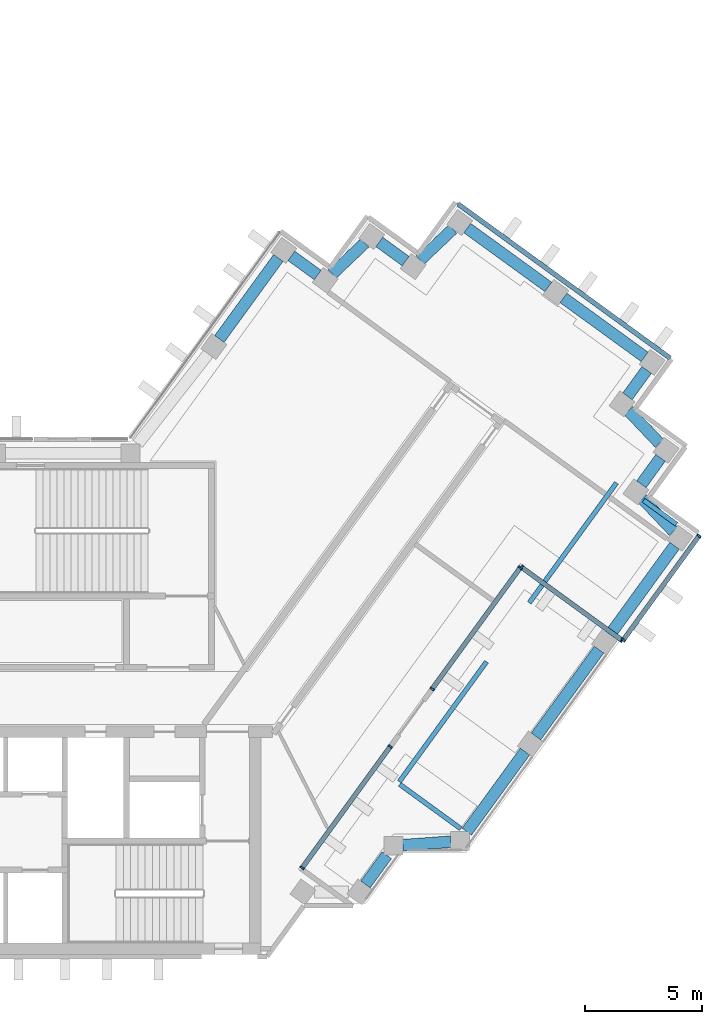
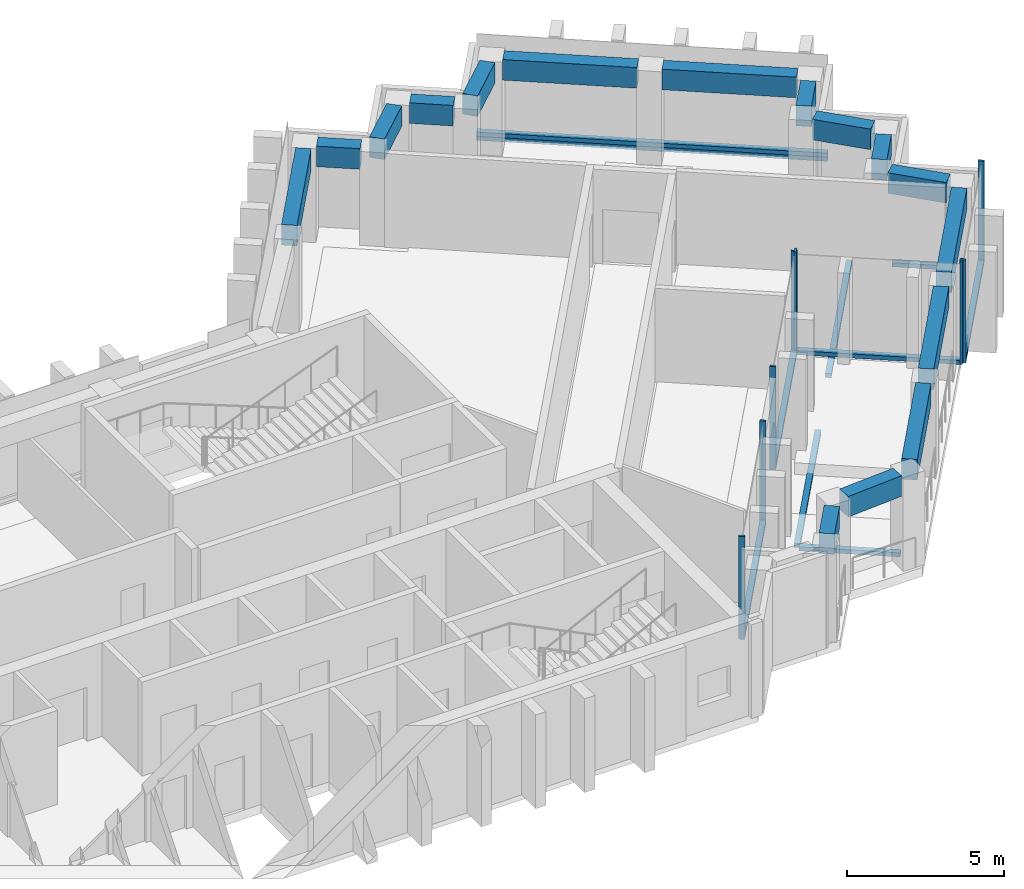
"""IFC4 building model written with IfcOpenShell, lengths in metres."""

import ifcopenshell
import ifcopenshell.guid

model = None  # the IFC model being written
_history = None  # IfcOwnerHistory: only IFC2X3 demands one
_inside = {}  # id of a spatial element -> (the spatial element, [elements in it])
_under = {}  # id of a project, library or spatial element -> (it, [spatial elements below it])
_declared = {}  # id of a project -> (the project, [libraries it declares])
_typed = {}  # id of a type object -> (the type object, [elements of that type])
_made_of = {}  # id of a material, layer set ... -> (it, [elements and type objects made of it])


def new_model(schema):
    """Start an empty IFC model of exactly this schema.

    Asked for "IFC4X3", IfcOpenShell would pick the latest addendum, in which some entities
    have other attributes; the version numbers below select the first issue.
    IFC2X3 requires an IfcOwnerHistory on every rooted entity: one is made here for all.
    """
    global model, _history
    if schema == "IFC4X3":
        model = ifcopenshell.file(schema_version=(4, 3, 0, 0))
    else:
        model = ifcopenshell.file(schema=schema)
    _inside.clear()
    _under.clear()
    _declared.clear()
    _typed.clear()
    _made_of.clear()
    _history = None
    if model.schema == "IFC2X3":
        org = make("IfcOrganization", Name="unknown")
        user = make(
            "IfcPersonAndOrganization",
            ThePerson=make("IfcPerson", FamilyName="unknown"),
            TheOrganization=org,
        )
        app = make(
            "IfcApplication",
            ApplicationDeveloper=org,
            Version="unknown",
            ApplicationFullName="unknown",
            ApplicationIdentifier="unknown",
        )
        _history = make(
            "IfcOwnerHistory",
            OwningUser=user,
            OwningApplication=app,
            ChangeAction="ADDED",
            CreationDate=0,
        )
    return model


def make(cls, **values):
    """One entity of the class cls with the attributes given. An attribute that is None is left unset."""
    return model.create_entity(
        cls, **{name: value for name, value in values.items() if value is not None}
    )


def rooted(cls, **values):
    """An entity with a GlobalId (a new one), such as an element, a storey or a relation."""
    return make(cls, GlobalId=ifcopenshell.guid.new(), OwnerHistory=_history, **values)


def si_unit(unit_type, name, prefix=None):
    """IfcSIUnit, for example si_unit("LENGTHUNIT", "METRE", prefix="MILLI")."""
    return make("IfcSIUnit", UnitType=unit_type, Prefix=prefix, Name=name)


def assignment(units):
    """IfcUnitAssignment: the units of a project."""
    return None if units is None else make("IfcUnitAssignment", Units=units)


def point(xyz):
    """IfcCartesianPoint."""
    return None if xyz is None else make("IfcCartesianPoint", Coordinates=xyz)


def direction(xyz):
    """IfcDirection."""
    return None if xyz is None else make("IfcDirection", DirectionRatios=xyz)


def frame(location, z_axis=None, x_axis=None):
    """IfcAxis2Placement3D, a coordinate frame: its origin and axes. An axis left out is left unset."""
    return make(
        "IfcAxis2Placement3D",
        Location=point(location),
        Axis=direction(z_axis),
        RefDirection=direction(x_axis),
    )


def frame_2d(location, x_axis=None):
    """IfcAxis2Placement2D, a coordinate frame in the plane: its origin and x axis."""
    return make(
        "IfcAxis2Placement2D", Location=point(location), RefDirection=direction(x_axis)
    )


def origin():
    """The frame at (0, 0, 0) with its axes left unset."""
    return frame((0.0, 0.0, 0.0))


def origin_2d():
    """The frame at (0, 0) in the plane with its x axis left unset."""
    return frame_2d((0.0, 0.0))


def place(relative_to, where):
    """IfcLocalPlacement: puts the frame where relative to a parent placement (None: the world)."""
    return make(
        "IfcLocalPlacement", PlacementRelTo=relative_to, RelativePlacement=where
    )


def context(
    kind, dimensions, precision=None, world=None, true_north=None, identifier=None
):
    """IfcGeometricRepresentationContext, for example the 3D "Model" context."""
    return make(
        "IfcGeometricRepresentationContext",
        ContextIdentifier=identifier,
        ContextType=kind,
        CoordinateSpaceDimension=dimensions,
        Precision=precision,
        WorldCoordinateSystem=world,
        TrueNorth=true_north,
    )


def subcontext(parent, identifier, kind, view, scale=None):
    """IfcGeometricRepresentationSubContext, for example "Body" below "Model"."""
    return make(
        "IfcGeometricRepresentationSubContext",
        ContextIdentifier=identifier,
        ContextType=kind,
        ParentContext=parent,
        TargetScale=scale,
        TargetView=view,
    )


def project(units=None, contexts=None):
    """IfcProject with its units and contexts."""
    return rooted(
        "IfcProject",
        Name="project",
        RepresentationContexts=contexts,
        UnitsInContext=assignment(units),
    )


def spatial(cls, under=None, at=None, **own):
    """A site, building, storey or space (cls), placed at a placement, below another one or the project."""
    s = rooted(cls, ObjectPlacement=at, **own)
    if under is not None:
        _under.setdefault(under.id(), (under, []))[1].append(s)
    return s


def profile(cls, at=None, kind="AREA", **sizes):
    """A parametric profile (cls). Its sizes go by their IFC names, for example OverallWidth=200.0."""
    return make(cls, ProfileType=kind, Position=at, **sizes)


def rectangle(**sizes):
    """IfcRectangleProfileDef."""
    return profile("IfcRectangleProfileDef", **sizes)


def extrude(swept, where, along, depth):
    """IfcExtrudedAreaSolid: the profile swept, set in the frame where, extruded along a direction by depth."""
    return make(
        "IfcExtrudedAreaSolid",
        SweptArea=swept,
        Position=where,
        ExtrudedDirection=direction(along),
        Depth=depth,
    )


def shape(context_of_items, identifier, shape_type, items):
    """IfcShapeRepresentation: the items that make up one representation, for example the "Body"."""
    return make(
        "IfcShapeRepresentation",
        ContextOfItems=context_of_items,
        RepresentationIdentifier=identifier,
        RepresentationType=shape_type,
        Items=items,
    )


def material(Name=None, Category=None):
    """IfcMaterial."""
    return make("IfcMaterial", Name=Name, Category=Category)


def material_profile(
    of_material, cross_section, Name=None, Category=None, Priority=None
):
    """IfcMaterialProfile: a cross section and its material."""
    return make(
        "IfcMaterialProfile",
        Name=Name,
        Material=of_material,
        Profile=cross_section,
        Priority=Priority,
        Category=Category,
    )


def profile_set(profiles, Name=None, composite=None):
    """IfcMaterialProfileSet."""
    return make(
        "IfcMaterialProfileSet",
        Name=Name,
        MaterialProfiles=profiles,
        CompositeProfile=composite,
    )


def made_of(thing, what):
    """Note that an element or type object is made of a material, layer set ...; save() writes the relation."""
    if what is not None:
        _made_of.setdefault(what.id(), (what, []))[1].append(thing)
    return thing


def type_object(cls, material=None, **own):
    """A type object (cls), such as IfcWallType, which elements share."""
    return made_of(rooted(cls, **own), material)


def element(
    cls,
    number,
    at=None,
    inside=None,
    cuts=None,
    type_object=None,
    material=None,
    context=None,
    identifier="Body",
    shape_type=None,
    held_by="IfcProductDefinitionShape",
    body=None,
    shapes=None,
    **own,
):
    """One element of the class cls, such as IfcWall. Its Tag is "e" and its number.

    at: its placement. inside: the storey or other place that contains it. cuts: it is an
    opening in that element (IfcRelVoidsElement). A single representation is given by context,
    identifier, shape_type and body (its items); several are given by shapes. held_by: the class
    of the entity that holds the representations. save() writes the other relations.
    """
    e = rooted(cls, Tag="e%d" % number, ObjectPlacement=at, **own)
    if body is not None:
        shapes = [shape(context, identifier, shape_type, body)]
    if shapes is not None:
        e.Representation = make(held_by, Representations=shapes)
    if inside is not None:
        _inside.setdefault(inside.id(), (inside, []))[1].append(e)
    if cuts is not None:
        rooted(
            "IfcRelVoidsElement", RelatingBuildingElement=cuts, RelatedOpeningElement=e
        )
    if type_object is not None:
        _typed.setdefault(type_object.id(), (type_object, []))[1].append(e)
    return made_of(e, material)


def aggregate(whole, parts):
    """IfcRelAggregates: a whole, such as a stair, and the parts it consists of."""
    return rooted("IfcRelAggregates", RelatingObject=whole, RelatedObjects=parts)


def save(model, path):
    """Write the relations noted so far, then the file.

    IfcRelAggregates (storeys below a building ...), IfcRelContainedInSpatialStructure (elements
    in a storey), IfcRelDefinesByType, IfcRelAssociatesMaterial and IfcRelDeclares: one each for
    every whole, place, type object, material and project.
    """
    for whole, parts in _under.values():
        aggregate(whole, parts)
    for where, things in _inside.values():
        rooted(
            "IfcRelContainedInSpatialStructure",
            RelatedElements=things,
            RelatingStructure=where,
        )
    for kind, things in _typed.values():
        rooted("IfcRelDefinesByType", RelatedObjects=things, RelatingType=kind)
    for what, things in _made_of.values():
        rooted("IfcRelAssociatesMaterial", RelatedObjects=things, RelatingMaterial=what)
    for by, libraries in _declared.values():
        rooted("IfcRelDeclares", RelatingContext=by, RelatedDefinitions=libraries)
    model.write(path)


model = new_model("IFC4")

# Units and contexts
model_context = context("Model", 3, precision=1e-05, world=origin(), true_north=direction((0.0, 1.0)))
body_context = subcontext(model_context, "Body", "Model", "MODEL_VIEW")
ifc_project = project(units=[si_unit("LENGTHUNIT", "METRE"), si_unit("AREAUNIT", "SQUARE_METRE"), si_unit("VOLUMEUNIT", "CUBIC_METRE"), si_unit("PLANEANGLEUNIT", "RADIAN"), si_unit("MASSUNIT", "GRAM", prefix="KILO")], contexts=[model_context])

# Site, building, storey
site_placement = place(None, origin())
site = spatial("IfcSite", under=ifc_project, at=site_placement, CompositionType="ELEMENT")
building_placement = place(site_placement, origin())
building = spatial("IfcBuilding", under=site, at=building_placement, Name="Quipu Civic Tower", CompositionType="ELEMENT")
storey_1_placement = place(building_placement, frame((0.0, 0.0, 206.0)))
storey_1 = spatial("IfcBuildingStorey", under=building, at=storey_1_placement, Name="L48", CompositionType="ELEMENT", Elevation=206.0)

# Curtain wall, members
ifc_material_1 = material(Name="Insulated glass unit", Category="glass")
curtain_wall_type = type_object("IfcCurtainWallType", Name="Office curtain wall CW1", PredefinedType="NOTDEFINED", material=ifc_material_1)
curtain_wall_1_placement = place(storey_1_placement, origin())
curtain_wall_1 = element("IfcCurtainWall", 1, at=curtain_wall_1_placement, inside=storey_1, type_object=curtain_wall_type, Name="Office curtain wall CW1 L48 run 3", PredefinedType="NOTDEFINED")
ifc_material_2 = material(Name="Anodised aluminium", Category="aluminium")
ifc_material_profile_1 = material_profile(ifc_material_2, rectangle(XDim=0.199951171875, YDim=0.080078125, at=origin_2d()), Name="RECT 200x80")
ifc_profile_set_1 = profile_set([ifc_material_profile_1], Name="Anodised aluminium")
member_type_1 = type_object("IfcMemberType", Name="Mullion CW1", PredefinedType="MULLION", material=ifc_profile_set_1)
member_1_placement = place(storey_1_placement, frame((21.7548828125, -7.2822265625, 0.080078125), z_axis=(0.0, 0.0, 1.0), x_axis=(-0.809018600878, 0.587783041125, 0.0)))
member_1 = element("IfcMember", 2, at=member_1_placement, type_object=member_type_1, Name="CW1 mullion 1", PredefinedType="MULLION", context=body_context, shape_type="SweptSolid", body=[
    extrude(rectangle(XDim=0.199951171875, YDim=0.080078125, at=origin_2d()), origin(), (0.0, 0.0, 1.0), 4.0),
])
member_2_placement = place(storey_1_placement, frame((25.539306640625, -2.073486328125, 0.080078125), z_axis=(0.0, 0.0, 1.0), x_axis=(-0.809018600878, 0.587783041125, 0.0)))
member_2 = element("IfcMember", 3, at=member_2_placement, type_object=member_type_1, Name="CW1 mullion 2", PredefinedType="MULLION", context=body_context, shape_type="SweptSolid", body=[
    extrude(rectangle(XDim=0.199951171875, YDim=0.080078125, at=origin_2d()), origin(), (0.0, 0.0, 1.0), 4.0),
])

curtain_wall_2_placement = place(storey_1_placement, origin())
curtain_wall_2 = element("IfcCurtainWall", 4, at=curtain_wall_2_placement, inside=storey_1, type_object=curtain_wall_type, Name="Office curtain wall CW1 L48 run 5", PredefinedType="NOTDEFINED")
member_3_placement = place(storey_1_placement, frame((27.327880859375, 0.388427734375, 0.080078125), z_axis=(0.0, 0.0, 1.0), x_axis=(-0.809021906018, 0.587778491936, 0.0)))
member_3 = element("IfcMember", 5, at=member_3_placement, type_object=member_type_1, Name="CW1 mullion 1", PredefinedType="MULLION", context=body_context, shape_type="SweptSolid", body=[
    extrude(rectangle(XDim=0.199951171875, YDim=0.080078125, at=origin_2d()), origin(), (0.0, 0.0, 1.0), 4.0),
])
member_4_placement = place(storey_1_placement, frame((31.1123046875, 5.597412109375, 0.080078125), z_axis=(0.0, 0.0, 1.0), x_axis=(-0.809021906018, 0.587778491936, 0.0)))
member_4 = element("IfcMember", 6, at=member_4_placement, type_object=member_type_1, Name="CW1 mullion 2", PredefinedType="MULLION", context=body_context, shape_type="SweptSolid", body=[
    extrude(rectangle(XDim=0.199951171875, YDim=0.080078125, at=origin_2d()), origin(), (0.0, 0.0, 1.0), 4.0),
])

curtain_wall_3_placement = place(storey_1_placement, origin())
curtain_wall_3 = element("IfcCurtainWall", 7, at=curtain_wall_3_placement, inside=storey_1, type_object=curtain_wall_type, Name="Office curtain wall CW1 L48 run 6", PredefinedType="NOTDEFINED")
member_5_placement = place(storey_1_placement, frame((31.168212890625, 5.606201171875, 0.080078125), z_axis=(0.0, 0.0, 1.0), x_axis=(0.587779635352, 0.809021075291, 0.0)))
member_5 = element("IfcMember", 8, at=member_5_placement, type_object=member_type_1, Name="CW1 mullion 1", PredefinedType="MULLION", context=body_context, shape_type="SweptSolid", body=[
    extrude(rectangle(XDim=0.199951171875, YDim=0.080078125, at=origin_2d()), origin(), (0.0, 0.0, 1.0), 4.0),
])
member_6_placement = place(storey_1_placement, frame((35.47216796875, 2.479248046875, 0.080078125), z_axis=(0.0, 0.0, 1.0), x_axis=(0.587779635352, 0.809021075291, 0.0)))
member_6 = element("IfcMember", 9, at=member_6_placement, type_object=member_type_1, Name="CW1 mullion 2", PredefinedType="MULLION", context=body_context, shape_type="SweptSolid", body=[
    extrude(rectangle(XDim=0.199951171875, YDim=0.080078125, at=origin_2d()), origin(), (0.0, 0.0, 1.0), 4.0),
])

curtain_wall_4_placement = place(storey_1_placement, origin())
curtain_wall_4 = element("IfcCurtainWall", 10, at=curtain_wall_4_placement, inside=storey_1, type_object=curtain_wall_type, Name="Office curtain wall CW1 L48 run 7", PredefinedType="NOTDEFINED")
member_7_placement = place(storey_1_placement, frame((35.528076171875, 2.488037109375, 0.080078125), z_axis=(0.0, 0.0, 1.0), x_axis=(-0.809010903145, 0.587793636059, 0.0)))
member_7 = element("IfcMember", 11, at=member_7_placement, type_object=member_type_1, Name="CW1 mullion 1", PredefinedType="MULLION", context=body_context, shape_type="SweptSolid", body=[
    extrude(rectangle(XDim=0.199951171875, YDim=0.080078125, at=origin_2d()), origin(), (0.0, 0.0, 1.0), 4.0),
])
member_8_placement = place(storey_1_placement, frame((38.772705078125, 6.953857421875, 0.080078125), z_axis=(0.0, 0.0, 1.0), x_axis=(-0.809010903145, 0.587793636059, 0.0)))
member_8 = element("IfcMember", 12, at=member_8_placement, type_object=member_type_1, Name="CW1 mullion 2", PredefinedType="MULLION", context=body_context, shape_type="SweptSolid", body=[
    extrude(rectangle(XDim=0.199951171875, YDim=0.080078125, at=origin_2d()), origin(), (0.0, 0.0, 1.0), 4.0),
])

# Beams
ifc_material_3 = material(Name="Concrete C50/60", Category="concrete")
ifc_material_profile_2 = material_profile(ifc_material_3, rectangle(XDim=0.5, YDim=0.800048828125, at=origin_2d()), Name="RC500x800")
ifc_profile_set_2 = profile_set([ifc_material_profile_2], Name="Concrete C50/60")
beam_type = type_object("IfcBeamType", Name="Spandrel beam RC 500x800 C50/60", PredefinedType="SPANDREL", material=ifc_profile_set_2)
beam_1_placement = place(storey_1_placement, frame((24.470458984375, -7.991455078125, 3.25), z_axis=(0.588405601119, 0.808565920981, 0.0), x_axis=(-0.808565920981, 0.588405601119, 0.0)))
element("IfcBeam", 13, at=beam_1_placement, inside=storey_1, type_object=beam_type, Name="Spandrel beam L48 J-Eo.2 to J-Eo.3", PredefinedType="SPANDREL", context=body_context, shape_type="SweptSolid", body=[
    extrude(rectangle(XDim=0.5, YDim=0.800048828125, at=origin_2d()), origin(), (0.0, 0.0, 1.0), 1.55126953125),
])
beam_2_placement = place(storey_1_placement, frame((26.074462890625, -6.307861328125, 3.25), z_axis=(0.997372997143, 0.072436900614, 0.0), x_axis=(-0.072436900614, 0.997372997143, 0.0)))
element("IfcBeam", 14, at=beam_2_placement, inside=storey_1, type_object=beam_type, Name="Spandrel beam L48 J-Eo.3 to J-Eo.4", PredefinedType="SPANDREL", context=body_context, shape_type="SweptSolid", body=[
    extrude(rectangle(XDim=0.5, YDim=0.800048828125, at=origin_2d()), origin(), (0.0, 0.0, 1.0), 2.055908203125),
])
beam_3_placement = place(storey_1_placement, frame((28.815673828125, -5.72998046875, 3.25), z_axis=(0.58776850526, 0.809029161541, 0.0), x_axis=(-0.809029161541, 0.58776850526, 0.0)))
element("IfcBeam", 15, at=beam_3_placement, inside=storey_1, type_object=beam_type, Name="Spandrel beam L48 J-Eo.4 to E-OUT-01", PredefinedType="SPANDREL", context=body_context, shape_type="SweptSolid", body=[
    extrude(rectangle(XDim=0.5, YDim=0.800048828125, at=origin_2d()), origin(), (0.0, 0.0, 1.0), 4.249267578125),
])
beam_4_placement = place(storey_1_placement, frame((31.783447265625, -1.64501953125, 3.25), z_axis=(0.587796098864, 0.809009113768, 0.0), x_axis=(-0.809009113768, 0.587796098864, 0.0)))
element("IfcBeam", 16, at=beam_4_placement, inside=storey_1, type_object=beam_type, Name="Spandrel beam L48 E-OUT-01 to E-OUT-02", PredefinedType="SPANDREL", context=body_context, shape_type="SweptSolid", body=[
    extrude(rectangle(XDim=0.5, YDim=0.800048828125, at=origin_2d()), origin(), (0.0, 0.0, 1.0), 4.60009765625),
])
beam_5_placement = place(storey_1_placement, frame((34.95751953125, 2.7236328125, 3.25), z_axis=(0.587891029962, 0.808940131833, 0.0), x_axis=(-0.808940131833, 0.587891029962, 0.0)))
element("IfcBeam", 17, at=beam_5_placement, inside=storey_1, type_object=beam_type, Name="Spandrel beam L48 E-OUT-02 to T-Eo.0-E22", PredefinedType="SPANDREL", context=body_context, shape_type="SweptSolid", body=[
    extrude(rectangle(XDim=0.5, YDim=0.800048828125, at=origin_2d()), origin(), (0.0, 0.0, 1.0), 4.707275390625),
])
beam_6_placement = place(storey_1_placement, frame((37.6796875, 7.149658203125, 3.25), z_axis=(-0.689191109061, 0.724579612735, 0.0), x_axis=(-0.724579612735, -0.689191109061, 0.0)))
element("IfcBeam", 18, at=beam_6_placement, inside=storey_1, type_object=beam_type, Name="Spandrel beam L48 T-Eo.0-E22 to T-Eo.1-E22", PredefinedType="SPANDREL", context=body_context, shape_type="SweptSolid", body=[
    extrude(rectangle(XDim=0.5, YDim=0.800048828125, at=origin_2d()), origin(), (0.0, 0.0, 1.0), 1.931640625),
])
beam_7_placement = place(storey_1_placement, frame((36.302978515625, 9.16796875, 3.25), z_axis=(0.58725897397, 0.809399096547, 0.0), x_axis=(-0.809399096547, 0.58725897397, 0.0)))
element("IfcBeam", 19, at=beam_7_placement, inside=storey_1, type_object=beam_type, Name="Spandrel beam L48 T-Eo.1-E22 to T-Eo.2-E22", PredefinedType="SPANDREL", context=body_context, shape_type="SweptSolid", body=[
    extrude(rectangle(XDim=0.5, YDim=0.800048828125, at=origin_2d()), origin(), (0.0, 0.0, 1.0), 1.400146484375),
])
beam_8_placement = place(storey_1_placement, frame((37.080078125, 10.920166015625, 3.25), z_axis=(-0.688280901551, 0.725444278053, 0.0), x_axis=(-0.725444278053, -0.688280901551, 0.0)))
element("IfcBeam", 20, at=beam_8_placement, inside=storey_1, type_object=beam_type, Name="Spandrel beam L48 T-Eo.2-E22 to T-Eo.3-E22", PredefinedType="SPANDREL", context=body_context, shape_type="SweptSolid", body=[
    extrude(rectangle(XDim=0.5, YDim=0.800048828125, at=origin_2d()), origin(), (0.0, 0.0, 1.0), 1.931396484375),
])
beam_9_placement = place(storey_1_placement, frame((35.7060546875, 12.93994140625, 3.25), z_axis=(0.58841024035, 0.808562544922, 0.0), x_axis=(-0.808562544922, 0.58841024035, 0.0)))
element("IfcBeam", 21, at=beam_9_placement, inside=storey_1, type_object=beam_type, Name="Spandrel beam L48 T-Eo.3-E22 to T-Eo.4-E22", PredefinedType="SPANDREL", context=body_context, shape_type="SweptSolid", body=[
    extrude(rectangle(XDim=0.5, YDim=0.800048828125, at=origin_2d()), origin(), (0.0, 0.0, 1.0), 1.3994140625),
])
beam_10_placement = place(storey_1_placement, frame((36.44140625, 14.630126953125, 3.25), z_axis=(-0.809153076016, 0.587597906373, 0.0), x_axis=(-0.587597906373, -0.809153076016, 0.0)))
element("IfcBeam", 22, at=beam_10_placement, inside=storey_1, type_object=beam_type, Name="Spandrel beam L48 T-Eo.4-E22 to TIP-E-01-E22", PredefinedType="SPANDREL", context=body_context, shape_type="SweptSolid", body=[
    extrude(rectangle(XDim=0.5, YDim=0.800048828125, at=origin_2d()), origin(), (0.0, 0.0, 1.0), 4.302001953125),
])
beam_11_placement = place(storey_1_placement, frame((32.313232421875, 17.6279296875, 3.25), z_axis=(-0.80911644178, 0.587648350327, 0.0), x_axis=(-0.587648350327, -0.80911644178, 0.0)))
element("IfcBeam", 23, at=beam_11_placement, inside=storey_1, type_object=beam_type, Name="Spandrel beam L48 TIP-E-01-E22 to T-Ei.0-E22", PredefinedType="SPANDREL", context=body_context, shape_type="SweptSolid", body=[
    extrude(rectangle(XDim=0.5, YDim=0.800048828125, at=origin_2d()), origin(), (0.0, 0.0, 1.0), 4.30029296875),
])
beam_12_placement = place(storey_1_placement, frame((28.21484375, 20.10986328125, 3.25), z_axis=(-0.725384387405, -0.688344020464, 0.0), x_axis=(0.688344020464, -0.725384387405, 0.0)))
element("IfcBeam", 24, at=beam_12_placement, inside=storey_1, type_object=beam_type, Name="Spandrel beam L48 T-Ei.0-E22 to T-Ei.1-E22", PredefinedType="SPANDREL", context=body_context, shape_type="SweptSolid", body=[
    extrude(rectangle(XDim=0.5, YDim=0.800048828125, at=origin_2d()), origin(), (0.0, 0.0, 1.0), 1.93115234375),
])
beam_13_placement = place(storey_1_placement, frame((26.195556640625, 18.73583984375, 3.25), z_axis=(-0.808600329101, 0.588358315805, 0.0), x_axis=(-0.588358315805, -0.808600329101, 0.0)))
element("IfcBeam", 25, at=beam_13_placement, inside=storey_1, type_object=beam_type, Name="Spandrel beam L48 T-Ei.1-E22 to T-Ei.2-E22", PredefinedType="SPANDREL", context=body_context, shape_type="SweptSolid", body=[
    extrude(rectangle(XDim=0.5, YDim=0.800048828125, at=origin_2d()), origin(), (0.0, 0.0, 1.0), 1.400146484375),
])
beam_14_placement = place(storey_1_placement, frame((24.445068359375, 19.514892578125, 3.25), z_axis=(-0.72506883804, -0.688676397232, 0.0), x_axis=(0.688676397232, -0.72506883804, 0.0)))
element("IfcBeam", 26, at=beam_14_placement, inside=storey_1, type_object=beam_type, Name="Spandrel beam L48 T-Ei.2-E22 to T-Ei.3-E22", PredefinedType="SPANDREL", context=body_context, shape_type="SweptSolid", body=[
    extrude(rectangle(XDim=0.5, YDim=0.800048828125, at=origin_2d()), origin(), (0.0, 0.0, 1.0), 1.93212890625),
])
beam_15_placement = place(storey_1_placement, frame((22.425537109375, 18.13916015625, 3.25), z_axis=(-0.809452764948, 0.587184997524, 0.0), x_axis=(-0.587184997524, -0.809452764948, 0.0)))
element("IfcBeam", 27, at=beam_15_placement, inside=storey_1, type_object=beam_type, Name="Spandrel beam L48 T-Ei.3-E22 to T-Ei.4-E22", PredefinedType="SPANDREL", context=body_context, shape_type="SweptSolid", body=[
    extrude(rectangle(XDim=0.5, YDim=0.800048828125, at=origin_2d()), origin(), (0.0, 0.0, 1.0), 1.398193359375),
])
beam_16_placement = place(storey_1_placement, frame((20.734619140625, 18.87158203125, 3.25), z_axis=(-0.58812775221, -0.808768042816, 0.0), x_axis=(0.808768042816, -0.58812775221, 0.0)))
element("IfcBeam", 28, at=beam_16_placement, inside=storey_1, type_object=beam_type, Name="Spandrel beam L48 T-Ei.4-E22 to E-IN-01", PredefinedType="SPANDREL", context=body_context, shape_type="SweptSolid", body=[
    extrude(rectangle(XDim=0.5, YDim=0.800048828125, at=origin_2d()), origin(), (0.0, 0.0, 1.0), 4.29443359375),
])

# Storey
storey_2_placement = place(building_placement, frame((0.0, 0.0, 198.0)))
storey_2 = spatial("IfcBuildingStorey", under=building, at=storey_2_placement, Name="L46", CompositionType="ELEMENT", Elevation=198.0)

# Curtain wall, member
curtain_wall_5_placement = place(storey_2_placement, origin())
curtain_wall_5 = element("IfcCurtainWall", 29, at=curtain_wall_5_placement, inside=storey_2, type_object=curtain_wall_type, Name="Office curtain wall CW1 L45 run 6", PredefinedType="NOTDEFINED")
ifc_material_4 = material(Name="Anodised aluminium", Category="aluminium")
ifc_material_profile_3 = material_profile(ifc_material_4, rectangle(XDim=0.199951171875, YDim=0.159912109375, at=origin_2d()), Name="RECT 200x160")
ifc_profile_set_3 = profile_set([ifc_material_profile_3], Name="Anodised aluminium")
member_type_2 = type_object("IfcMemberType", Name="Transom CW1", PredefinedType="USERDEFINED", material=ifc_profile_set_3)
member_9_placement = place(storey_1_placement, frame((37.536865234375, 14.575927734375, 0.0), z_axis=(-0.809022463805, 0.587777724194, 0.0), x_axis=(-0.587777724194, -0.809022463805, 0.0)))
member_9 = element("IfcMember", 30, at=member_9_placement, inside=storey_1, type_object=member_type_2, Name="CW1 transom 1.4", ObjectType="TRANSOM", PredefinedType="USERDEFINED", context=body_context, shape_type="SweptSolid", body=[
    extrude(rectangle(XDim=0.199951171875, YDim=0.159912109375, at=origin_2d()), origin(), (0.0, 0.0, 1.0), 11.240234375),
])
aggregate(curtain_wall_5, [member_9])

# Storey
storey_3_placement = place(building_placement, frame((0.0, 0.0, 202.0)))
storey_3 = spatial("IfcBuildingStorey", under=building, at=storey_3_placement, Name="L47", CompositionType="ELEMENT", Elevation=202.0)

# Curtain wall, member
curtain_wall_6_placement = place(storey_3_placement, origin())
curtain_wall_6 = element("IfcCurtainWall", 31, at=curtain_wall_6_placement, inside=storey_3, type_object=curtain_wall_type, Name="Office curtain wall CW1 L47 run 3", PredefinedType="NOTDEFINED")
member_10_placement = place(storey_1_placement, frame((28.561279296875, -5.60205078125, 0.0), z_axis=(-0.809016311663, 0.587786191964, 0.0), x_axis=(-0.587786191964, -0.809016311663, 0.0)))
member_10 = element("IfcMember", 32, at=member_10_placement, inside=storey_1, type_object=member_type_2, Name="CW1 transom 1.2", ObjectType="TRANSOM", PredefinedType="USERDEFINED", context=body_context, shape_type="SweptSolid", body=[
    extrude(rectangle(XDim=0.199951171875, YDim=0.159912109375, at=origin_2d()), origin(), (0.0, 0.0, 1.0), 3.239013671875),
])
aggregate(curtain_wall_6, [member_10])

curtain_wall_7_placement = place(storey_3_placement, origin())
curtain_wall_7 = element("IfcCurtainWall", 33, at=curtain_wall_7_placement, inside=storey_3, type_object=curtain_wall_type, Name="Office curtain wall CW1 L47 run 4", PredefinedType="NOTDEFINED")
member_11_placement = place(storey_1_placement, frame((25.923095703125, -3.58642578125, 0.0), z_axis=(0.587804073239, 0.809003319822, 0.0), x_axis=(-0.809003319822, 0.587804073239, 0.0)))
member_11 = element("IfcMember", 34, at=member_11_placement, inside=storey_1, type_object=member_type_2, Name="CW1 transom 1.2", ObjectType="TRANSOM", PredefinedType="USERDEFINED", context=body_context, shape_type="SweptSolid", body=[
    extrude(rectangle(XDim=0.199951171875, YDim=0.159912109375, at=origin_2d()), origin(), (0.0, 0.0, 1.0), 6.3583984375),
])
aggregate(curtain_wall_7, [member_11])

curtain_wall_8_placement = place(storey_3_placement, origin())
curtain_wall_8 = element("IfcCurtainWall", 35, at=curtain_wall_8_placement, inside=storey_3, type_object=curtain_wall_type, Name="Office curtain wall CW1 L47 run 6", PredefinedType="NOTDEFINED")
member_12_placement = place(storey_1_placement, frame((31.496337890625, 4.084228515625, 0.0), z_axis=(0.587778942742, 0.809021578494, 0.0), x_axis=(-0.809021578494, 0.587778942742, 0.0)))
member_12 = element("IfcMember", 36, at=member_12_placement, inside=storey_1, type_object=member_type_2, Name="CW1 transom 1.2", ObjectType="TRANSOM", PredefinedType="USERDEFINED", context=body_context, shape_type="SweptSolid", body=[
    extrude(rectangle(XDim=0.199951171875, YDim=0.159912109375, at=origin_2d()), origin(), (0.0, 0.0, 1.0), 6.3583984375),
])
aggregate(curtain_wall_8, [member_12])

curtain_wall_9_placement = place(storey_3_placement, origin())
curtain_wall_9 = element("IfcCurtainWall", 37, at=curtain_wall_9_placement, inside=storey_3, type_object=curtain_wall_type, Name="Office curtain wall CW1 L47 run 8", PredefinedType="NOTDEFINED")
member_13_placement = place(storey_1_placement, frame((36.39794921875, 8.481201171875, 0.0), z_axis=(0.809003053735, -0.587804439459, 0.0), x_axis=(0.587804439459, 0.809003053735, 0.0)))
member_13 = element("IfcMember", 38, at=member_13_placement, inside=storey_1, type_object=member_type_2, Name="CW1 transom 1.2", ObjectType="TRANSOM", PredefinedType="USERDEFINED", context=body_context, shape_type="SweptSolid", body=[
    extrude(rectangle(XDim=0.199951171875, YDim=0.159912109375, at=origin_2d()), origin(), (0.0, 0.0, 1.0), 1.739501953125),
])
aggregate(curtain_wall_9, [member_13])

# Member
member_14_placement = place(storey_1_placement, frame((21.7783203125, -7.25, 0.159912109375), z_axis=(0.587760684466, 0.809034843375, 0.0), x_axis=(-0.809034843375, 0.587760684466, 0.0)))
member_14 = element("IfcMember", 39, at=member_14_placement, type_object=member_type_2, Name="CW1 transom 1.1", ObjectType="TRANSOM", PredefinedType="USERDEFINED", context=body_context, shape_type="SweptSolid", body=[
    extrude(rectangle(XDim=0.199951171875, YDim=0.159912109375, at=origin_2d()), origin(), (0.0, 0.0, 1.0), 6.358642578125),
])

aggregate(curtain_wall_1, [member_1, member_2, member_14])

member_15_placement = place(storey_1_placement, frame((27.351318359375, 0.420654296875, 0.159912109375), z_axis=(0.587785815007, 0.809016585539, 0.0), x_axis=(-0.809016585539, 0.587785815007, 0.0)))
member_15 = element("IfcMember", 40, at=member_15_placement, type_object=member_type_2, Name="CW1 transom 1.1", ObjectType="TRANSOM", PredefinedType="USERDEFINED", context=body_context, shape_type="SweptSolid", body=[
    extrude(rectangle(XDim=0.199951171875, YDim=0.159912109375, at=origin_2d()), origin(), (0.0, 0.0, 1.0), 6.358642578125),
])

aggregate(curtain_wall_2, [member_3, member_4, member_15])

member_16_placement = place(storey_1_placement, frame((31.200439453125, 5.582763671875, 0.159912109375), z_axis=(0.809010003307, -0.587794874552, 0.0), x_axis=(0.587794874552, 0.809010003307, 0.0)))
member_16 = element("IfcMember", 41, at=member_16_placement, type_object=member_type_2, Name="CW1 transom 1.1", ObjectType="TRANSOM", PredefinedType="USERDEFINED", context=body_context, shape_type="SweptSolid", body=[
    extrude(rectangle(XDim=0.199951171875, YDim=0.159912109375, at=origin_2d()), origin(), (0.0, 0.0, 1.0), 5.239990234375),
])

aggregate(curtain_wall_3, [member_5, member_6, member_16])

member_17_placement = place(storey_1_placement, frame((35.551513671875, 2.5205078125, 0.159912109375), z_axis=(0.587795368516, 0.809009644412, 0.0), x_axis=(-0.809009644412, 0.587795368516, 0.0)))
member_17 = element("IfcMember", 42, at=member_17_placement, type_object=member_type_2, Name="CW1 transom 1.1", ObjectType="TRANSOM", PredefinedType="USERDEFINED", context=body_context, shape_type="SweptSolid", body=[
    extrude(rectangle(XDim=0.199951171875, YDim=0.159912109375, at=origin_2d()), origin(), (0.0, 0.0, 1.0), 5.43994140625),
])

aggregate(curtain_wall_4, [member_7, member_8, member_17])

# Storey
storey_4_placement = place(building_placement, frame((0.0, 0.0, 210.0)))
storey_4 = spatial("IfcBuildingStorey", under=building, at=storey_4_placement, Name="L49", CompositionType="ELEMENT", Elevation=210.0)

# Curtain wall, member
curtain_wall_10_placement = place(storey_4_placement, origin())
curtain_wall_10 = element("IfcCurtainWall", 43, at=curtain_wall_10_placement, inside=storey_4, type_object=curtain_wall_type, Name="Office curtain wall CW1 L48 run 28", PredefinedType="NOTDEFINED")
member_18_placement = place(storey_1_placement, frame((37.536865234375, 14.575927734375, 0.159912109375), z_axis=(-0.809022463805, 0.587777724194, 0.0), x_axis=(-0.587777724194, -0.809022463805, 0.0)))
member_18 = element("IfcMember", 44, at=member_18_placement, inside=storey_1, type_object=member_type_2, Name="CW1 transom 1.1", ObjectType="TRANSOM", PredefinedType="USERDEFINED", context=body_context, shape_type="SweptSolid", body=[
    extrude(rectangle(XDim=0.199951171875, YDim=0.159912109375, at=origin_2d()), origin(), (0.0, 0.0, 1.0), 11.240234375),
])
aggregate(curtain_wall_10, [member_18])

save(model, "model.ifc")
